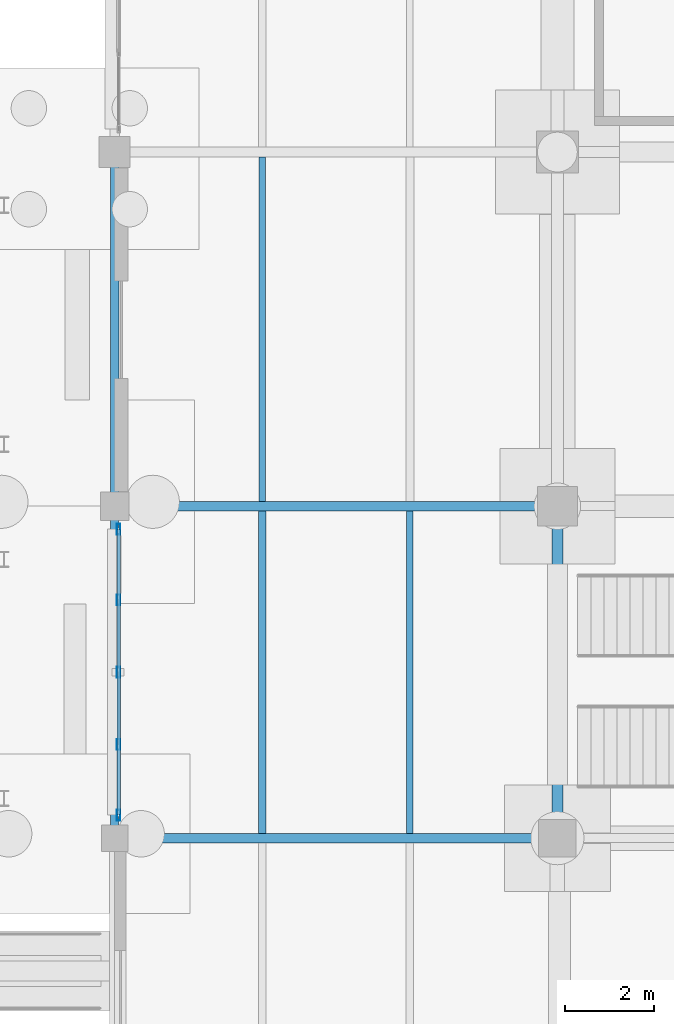
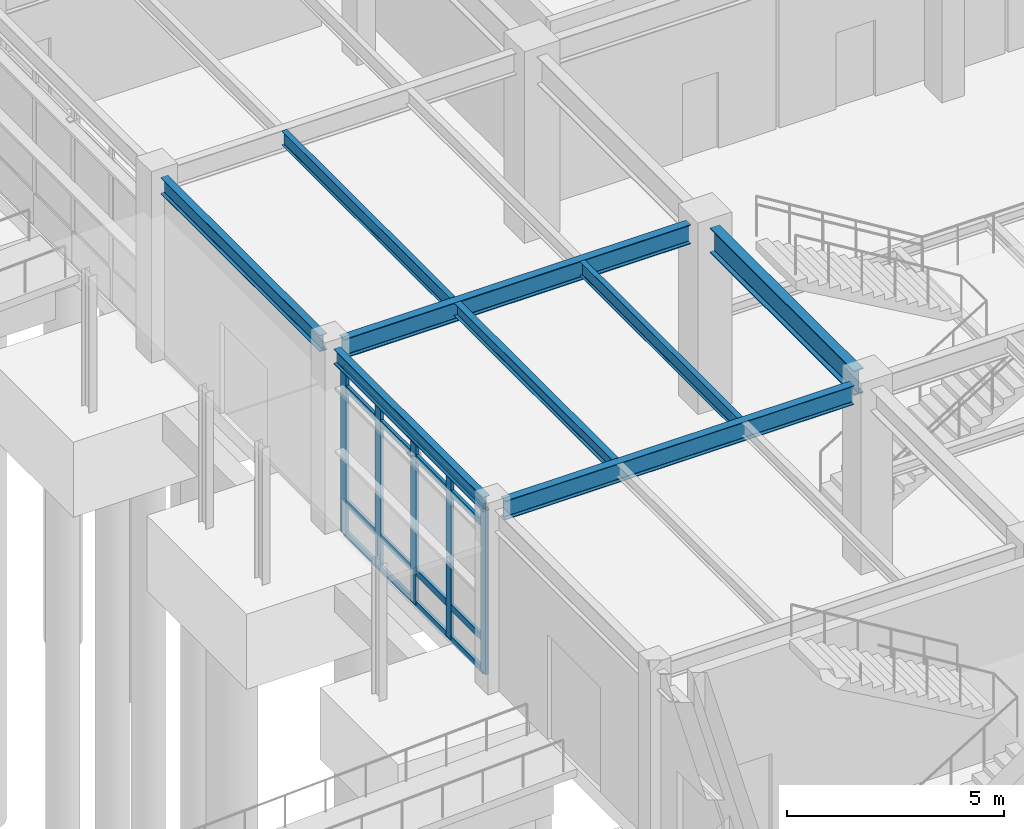
# One storey, part 34 of 203: 9 members, 8 beams, 1 element without a shape of its own.
"""IFC4 building model written with IfcOpenShell, lengths in metres."""

from ifc_helpers import new_model, si_unit, direction, frame, origin, origin_2d, place, context, subcontext, project, spatial, hollow_rectangle, i_section, extrude, material, material_profile, profile_set, type_object, element, aggregate, save


model = new_model("IFC4")

# Units and contexts
model_context = context("Model", 3, precision=1e-05, world=origin(), true_north=direction((0.0, 1.0)))
body_context = subcontext(model_context, "Body", "Model", "MODEL_VIEW")
ifc_project = project(units=[si_unit("LENGTHUNIT", "METRE"), si_unit("AREAUNIT", "SQUARE_METRE"), si_unit("VOLUMEUNIT", "CUBIC_METRE"), si_unit("PLANEANGLEUNIT", "RADIAN"), si_unit("MASSUNIT", "GRAM", prefix="KILO"), si_unit("THERMODYNAMICTEMPERATUREUNIT", "KELVIN"), si_unit("POWERUNIT", "WATT")], contexts=[model_context])

# Site, building, storey
site_placement = place(None, origin())
site = spatial("IfcSite", under=ifc_project, at=site_placement, CompositionType="ELEMENT")
building_placement = place(site_placement, origin())
building = spatial("IfcBuilding", under=site, at=building_placement, Name="Tepalcoro Natatorium and Aquatics Centre", CompositionType="ELEMENT")
storey_placement = place(building_placement, origin())
storey = spatial("IfcBuildingStorey", under=building, at=storey_placement, Name="L00", CompositionType="ELEMENT", Elevation=0.0)

# Beams
ifc_material_1 = material(Name="Steel ASTM A992 Grade 50 (Fy 345 MPa)", Category="steel")
ifc_material_profile_1 = material_profile(ifc_material_1, i_section(OverallWidth=0.2099609375, OverallDepth=0.532958984375, WebThickness=0.010009765625, FlangeThickness=0.01611328125, FilletRadius=0.013916015625, at=origin_2d()), Name="W21X62")
ifc_profile_set_1 = profile_set([ifc_material_profile_1], Name="Steel ASTM A992 Grade 50 (Fy 345 MPa)")
beam_type_1 = type_object("IfcBeamType", Name="BM_W21x62", PredefinedType="BEAM", material=ifc_profile_set_1)
beam_1_placement = place(storey_placement, frame((0.284912109375, 20.5, 4.87841796875), z_axis=(1.0, 0.0, 0.0), x_axis=(0.0, 1.0, 0.0)))
element("IfcBeam", 1, at=beam_1_placement, inside=storey, type_object=beam_type_1, Name="V3 L00 Grid Girder X", PredefinedType="BEAM", context=body_context, shape_type="SweptSolid", body=[
    extrude(i_section(OverallWidth=0.2099609375, OverallDepth=0.532958984375, WebThickness=0.010009765625, FlangeThickness=0.01611328125, FilletRadius=0.013916015625, at=origin_2d()), origin(), (0.0, 0.0, 1.0), 9.30517578125),
])
ifc_material_profile_2 = material_profile(ifc_material_1, i_section(OverallWidth=0.2119140625, OverallDepth=0.5439453125, WebThickness=0.012939453125, FlangeThickness=0.02099609375, FilletRadius=0.013916015625, at=origin_2d()), Name="W21X83")
ifc_profile_set_2 = profile_set([ifc_material_profile_2], Name="Steel ASTM A992 Grade 50 (Fy 345 MPa)")
beam_type_2 = type_object("IfcBeamType", Name="BM_W21x83", PredefinedType="BEAM", material=ifc_profile_set_2)
beam_2_placement = place(storey_placement, frame((0.31005859375, 28.0, 4.873046875), z_axis=(1.0, 0.0, 0.0), x_axis=(0.0, 1.0, 0.0)))
element("IfcBeam", 2, at=beam_2_placement, inside=storey, type_object=beam_type_2, Name="V3 L00 Grid Girder X", PredefinedType="BEAM", context=body_context, shape_type="SweptSolid", body=[
    extrude(i_section(OverallWidth=0.2119140625, OverallDepth=0.5439453125, WebThickness=0.012939453125, FlangeThickness=0.02099609375, FilletRadius=0.013916015625, at=origin_2d()), origin(), (0.0, 0.0, 1.0), 9.2548828125),
])
ifc_material_profile_3 = material_profile(ifc_material_1, i_section(OverallWidth=0.25390625, OverallDepth=0.700927734375, WebThickness=0.014892578125, FlangeThickness=0.028076171875, FilletRadius=0.013916015625, at=origin_2d()), Name="W27X129")
ifc_profile_set_3 = profile_set([ifc_material_profile_3], Name="Steel ASTM A992 Grade 50 (Fy 345 MPa)")
beam_type_3 = type_object("IfcBeamType", Name="BM_W27x129", PredefinedType="BEAM", material=ifc_profile_set_3)
beam_3_placement = place(storey_placement, frame((10.0, 20.909912109375, 4.79443359375), z_axis=(0.0, 1.0, 0.0), x_axis=(-1.0, 0.0, 0.0)))
element("IfcBeam", 3, at=beam_3_placement, inside=storey, type_object=beam_type_3, Name="V3 L00 Grid Girder Y", PredefinedType="BEAM", context=body_context, shape_type="SweptSolid", body=[
    extrude(i_section(OverallWidth=0.25390625, OverallDepth=0.700927734375, WebThickness=0.014892578125, FlangeThickness=0.028076171875, FilletRadius=0.013916015625, at=origin_2d()), origin(), (0.0, 0.0, 1.0), 6.655029296875),
])

# Curtain wall, members
ifc_material_2 = material(Name="Bronze-Anodised Extruded Aluminium Alloy EN AW-6063 T6", Category="aluminium")
curtain_wall_type = type_object("IfcCurtainWallType", Name="CW_LEAN_T1_EW", PredefinedType="USERDEFINED", material=ifc_material_2)
curtain_wall_placement = place(storey_placement, origin())
curtain_wall = element("IfcCurtainWall", 4, at=curtain_wall_placement, inside=storey, type_object=curtain_wall_type, Name="V3 L00 W Unitised Curtain Wall Bay 3", ObjectType="FACETED SOLAR GLAZING", PredefinedType="USERDEFINED")
ifc_material_profile_4 = material_profile(ifc_material_2, hollow_rectangle(XDim=0.080078125, YDim=0.239990234375, WallThickness=0.0048828125, at=origin_2d()), Name="AL80X240X5")
ifc_profile_set_4 = profile_set([ifc_material_profile_4], Name="Bronze-Anodised Extruded Aluminium Alloy EN AW-6063 T6")
member_type_1 = type_object("IfcMemberType", Name="CW_MUL_80x240", PredefinedType="MULLION", material=ifc_profile_set_4)
member_1_placement = place(storey_placement, frame((0.090087890625, 21.02001953125, 0.02001953125), z_axis=(0.0, 0.0, 1.0), x_axis=(1.0, 0.0, 0.0)))
member_1 = element("IfcMember", 5, at=member_1_placement, type_object=member_type_1, Name="CW_LEAN_T1_EW Curtain Wall Mullion", PredefinedType="MULLION", context=body_context, shape_type="SweptSolid", body=[
    extrude(hollow_rectangle(XDim=0.080078125, YDim=0.239990234375, WallThickness=0.0048828125, at=origin_2d()), origin(), (0.0, 0.0, 1.0), 4.677001953125),
])
member_2_placement = place(storey_placement, frame((0.090087890625, 22.614990234375, 0.02001953125), z_axis=(0.0, 0.0, 1.0), x_axis=(1.0, 0.0, 0.0)))
member_2 = element("IfcMember", 6, at=member_2_placement, type_object=member_type_1, Name="CW_LEAN_T1_EW Curtain Wall Mullion", PredefinedType="MULLION", context=body_context, shape_type="SweptSolid", body=[
    extrude(hollow_rectangle(XDim=0.080078125, YDim=0.239990234375, WallThickness=0.0048828125, at=origin_2d()), origin(), (0.0, 0.0, 1.0), 4.677001953125),
])
member_3_placement = place(storey_placement, frame((0.090087890625, 24.25, 0.02001953125), z_axis=(0.0, 0.0, 1.0), x_axis=(1.0, 0.0, 0.0)))
member_3 = element("IfcMember", 7, at=member_3_placement, type_object=member_type_1, Name="CW_LEAN_T1_EW Curtain Wall Mullion", PredefinedType="MULLION", context=body_context, shape_type="SweptSolid", body=[
    extrude(hollow_rectangle(XDim=0.080078125, YDim=0.239990234375, WallThickness=0.0048828125, at=origin_2d()), origin(), (0.0, 0.0, 1.0), 4.677001953125),
])
member_4_placement = place(storey_placement, frame((0.090087890625, 25.885009765625, 0.02001953125), z_axis=(0.0, 0.0, 1.0), x_axis=(1.0, 0.0, 0.0)))
member_4 = element("IfcMember", 8, at=member_4_placement, type_object=member_type_1, Name="CW_LEAN_T1_EW Curtain Wall Mullion", PredefinedType="MULLION", context=body_context, shape_type="SweptSolid", body=[
    extrude(hollow_rectangle(XDim=0.080078125, YDim=0.239990234375, WallThickness=0.0048828125, at=origin_2d()), origin(), (0.0, 0.0, 1.0), 4.677001953125),
])
member_5_placement = place(storey_placement, frame((0.090087890625, 27.47998046875, 0.02001953125), z_axis=(0.0, 0.0, 1.0), x_axis=(1.0, 0.0, 0.0)))
member_5 = element("IfcMember", 9, at=member_5_placement, type_object=member_type_1, Name="CW_LEAN_T1_EW Curtain Wall Mullion", PredefinedType="MULLION", context=body_context, shape_type="SweptSolid", body=[
    extrude(hollow_rectangle(XDim=0.080078125, YDim=0.239990234375, WallThickness=0.0048828125, at=origin_2d()), origin(), (0.0, 0.0, 1.0), 4.677001953125),
])
ifc_material_profile_5 = material_profile(ifc_material_2, hollow_rectangle(XDim=0.080078125, YDim=0.179931640625, WallThickness=0.0048828125, at=origin_2d()), Name="AL80X180X5")
ifc_profile_set_5 = profile_set([ifc_material_profile_5], Name="Bronze-Anodised Extruded Aluminium Alloy EN AW-6063 T6")
member_type_2 = type_object("IfcMemberType", Name="CW_TRN_80x180", PredefinedType="USERDEFINED", material=ifc_profile_set_5)
member_6_placement = place(storey_placement, frame((0.090087890625, 21.030029296875, 0.050048828125), z_axis=(0.0, 1.0, 0.0), x_axis=(-1.0, 0.0, 0.0)))
member_6 = element("IfcMember", 10, at=member_6_placement, type_object=member_type_2, Name="CW_LEAN_T1_EW Curtain Wall Transom", ObjectType="TRANSOM", PredefinedType="USERDEFINED", context=body_context, shape_type="SweptSolid", body=[
    extrude(hollow_rectangle(XDim=0.080078125, YDim=0.179931640625, WallThickness=0.0048828125, at=origin_2d()), origin(), (0.0, 0.0, 1.0), 6.43994140625),
])
member_7_placement = place(storey_placement, frame((0.090087890625, 21.030029296875, 0.949951171875), z_axis=(0.0, 1.0, 0.0), x_axis=(-1.0, 0.0, 0.0)))
member_7 = element("IfcMember", 11, at=member_7_placement, type_object=member_type_2, Name="CW_LEAN_T1_EW Curtain Wall Transom", ObjectType="TRANSOM", PredefinedType="USERDEFINED", context=body_context, shape_type="SweptSolid", body=[
    extrude(hollow_rectangle(XDim=0.080078125, YDim=0.179931640625, WallThickness=0.0048828125, at=origin_2d()), origin(), (0.0, 0.0, 1.0), 6.43994140625),
])
member_8_placement = place(storey_placement, frame((0.090087890625, 21.030029296875, 4.1669921875), z_axis=(0.0, 1.0, 0.0), x_axis=(-1.0, 0.0, 0.0)))
member_8 = element("IfcMember", 12, at=member_8_placement, type_object=member_type_2, Name="CW_LEAN_T1_EW Curtain Wall Transom", ObjectType="TRANSOM", PredefinedType="USERDEFINED", context=body_context, shape_type="SweptSolid", body=[
    extrude(hollow_rectangle(XDim=0.080078125, YDim=0.179931640625, WallThickness=0.0048828125, at=origin_2d()), origin(), (0.0, 0.0, 1.0), 6.43994140625),
])
member_9_placement = place(storey_placement, frame((0.090087890625, 21.030029296875, 4.6669921875), z_axis=(0.0, 1.0, 0.0), x_axis=(-1.0, 0.0, 0.0)))
member_9 = element("IfcMember", 13, at=member_9_placement, type_object=member_type_2, Name="CW_LEAN_T1_EW Curtain Wall Transom", ObjectType="TRANSOM", PredefinedType="USERDEFINED", context=body_context, shape_type="SweptSolid", body=[
    extrude(hollow_rectangle(XDim=0.080078125, YDim=0.179931640625, WallThickness=0.0048828125, at=origin_2d()), origin(), (0.0, 0.0, 1.0), 6.43994140625),
])
aggregate(curtain_wall, [member_1, member_2, member_3, member_4, member_5, member_6, member_7, member_8, member_9])

# Beams
ifc_material_profile_6 = material_profile(ifc_material_1, i_section(OverallWidth=0.172119140625, OverallDepth=0.35791015625, WebThickness=0.008056640625, FlangeThickness=0.012939453125, FilletRadius=0.013916015625, at=origin_2d()), Name="W14X38")
ifc_profile_set_6 = profile_set([ifc_material_profile_6], Name="Steel ASTM A992 Grade 50 (Fy 345 MPa)")
beam_type_4 = type_object("IfcBeamType", Name="JS_W14x38", PredefinedType="JOIST", material=ifc_profile_set_6)
beam_4_placement = place(storey_placement, frame((3.333251953125, 20.60498046875, 4.966064453125), z_axis=(0.0, 1.0, 0.0), x_axis=(-1.0, 0.0, 0.0)))
element("IfcBeam", 14, at=beam_4_placement, inside=storey, type_object=beam_type_4, Name="V3 L00 Floor Joist", PredefinedType="JOIST", context=body_context, shape_type="SweptSolid", body=[
    extrude(i_section(OverallWidth=0.172119140625, OverallDepth=0.35791015625, WebThickness=0.008056640625, FlangeThickness=0.012939453125, FilletRadius=0.013916015625, at=origin_2d()), origin(), (0.0, 0.0, 1.0), 7.2890625),
])
ifc_material_profile_7 = material_profile(ifc_material_1, i_section(OverallWidth=0.139892578125, OverallDepth=0.404052734375, WebThickness=0.007080078125, FlangeThickness=0.010986328125, FilletRadius=0.013916015625, at=origin_2d()), Name="W16X31")
ifc_profile_set_7 = profile_set([ifc_material_profile_7], Name="Steel ASTM A992 Grade 50 (Fy 345 MPa)")
beam_type_5 = type_object("IfcBeamType", Name="JS_W16x31", PredefinedType="JOIST", material=ifc_profile_set_7)
beam_5_placement = place(storey_placement, frame((6.666748046875, 20.60498046875, 4.943115234375), z_axis=(0.0, 1.0, 0.0), x_axis=(-1.0, 0.0, 0.0)))
element("IfcBeam", 15, at=beam_5_placement, inside=storey, type_object=beam_type_5, Name="V3 L00 Floor Joist", PredefinedType="JOIST", context=body_context, shape_type="SweptSolid", body=[
    extrude(i_section(OverallWidth=0.139892578125, OverallDepth=0.404052734375, WebThickness=0.007080078125, FlangeThickness=0.010986328125, FilletRadius=0.013916015625, at=origin_2d()), origin(), (0.0, 0.0, 1.0), 7.2890625),
])
beam_6_placement = place(storey_placement, frame((3.333251953125, 28.10595703125, 4.943115234375), z_axis=(0.0, 1.0, 0.0), x_axis=(-1.0, 0.0, 0.0)))
element("IfcBeam", 16, at=beam_6_placement, inside=storey, type_object=beam_type_5, Name="V3 L00 Floor Joist", PredefinedType="JOIST", context=body_context, shape_type="SweptSolid", body=[
    extrude(i_section(OverallWidth=0.139892578125, OverallDepth=0.404052734375, WebThickness=0.007080078125, FlangeThickness=0.010986328125, FilletRadius=0.013916015625, at=origin_2d()), origin(), (0.0, 0.0, 1.0), 7.780029296875),
])
ifc_material_profile_8 = material_profile(ifc_material_1, i_section(OverallWidth=0.179931640625, OverallDepth=0.4130859375, WebThickness=0.010009765625, FlangeThickness=0.01611328125, FilletRadius=0.013916015625, at=origin_2d()), Name="W16X50")
ifc_profile_set_8 = profile_set([ifc_material_profile_8], Name="Steel ASTM A992 Grade 50 (Fy 345 MPa)")
beam_type_6 = type_object("IfcBeamType", Name="SP_HSS300x200x12", PredefinedType="SPANDREL", material=ifc_profile_set_8)
beam_7_placement = place(storey_placement, frame((0.0, 20.784912109375, 4.9384765625), z_axis=(0.0, 1.0, 0.0), x_axis=(-1.0, 0.0, 0.0)))
element("IfcBeam", 17, at=beam_7_placement, inside=storey, type_object=beam_type_6, Name="V3 L00 Grid Girder Y", PredefinedType="SPANDREL", context=body_context, shape_type="SweptSolid", body=[
    extrude(i_section(OverallWidth=0.179931640625, OverallDepth=0.4130859375, WebThickness=0.010009765625, FlangeThickness=0.01611328125, FilletRadius=0.013916015625, at=origin_2d()), origin(), (0.0, 0.0, 1.0), 6.905029296875),
])
ifc_material_profile_9 = material_profile(ifc_material_1, i_section(OverallWidth=0.19091796875, OverallDepth=0.4599609375, WebThickness=0.010009765625, FlangeThickness=0.01611328125, FilletRadius=0.013916015625, at=origin_2d()), Name="W18X55")
ifc_profile_set_9 = profile_set([ifc_material_profile_9], Name="Steel ASTM A992 Grade 50 (Fy 345 MPa)")
beam_type_7 = type_object("IfcBeamType", Name="SP_W18x55", PredefinedType="SPANDREL", material=ifc_profile_set_9)
beam_8_placement = place(storey_placement, frame((0.0, 28.31005859375, 4.9150390625), z_axis=(0.0, 1.0, 0.0), x_axis=(-1.0, 0.0, 0.0)))
element("IfcBeam", 18, at=beam_8_placement, inside=storey, type_object=beam_type_7, Name="V3 L00 Grid Girder Y", PredefinedType="SPANDREL", context=body_context, shape_type="SweptSolid", body=[
    extrude(i_section(OverallWidth=0.19091796875, OverallDepth=0.4599609375, WebThickness=0.010009765625, FlangeThickness=0.01611328125, FilletRadius=0.013916015625, at=origin_2d()), origin(), (0.0, 0.0, 1.0), 7.35498046875),
])

save(model, "model.ifc")
